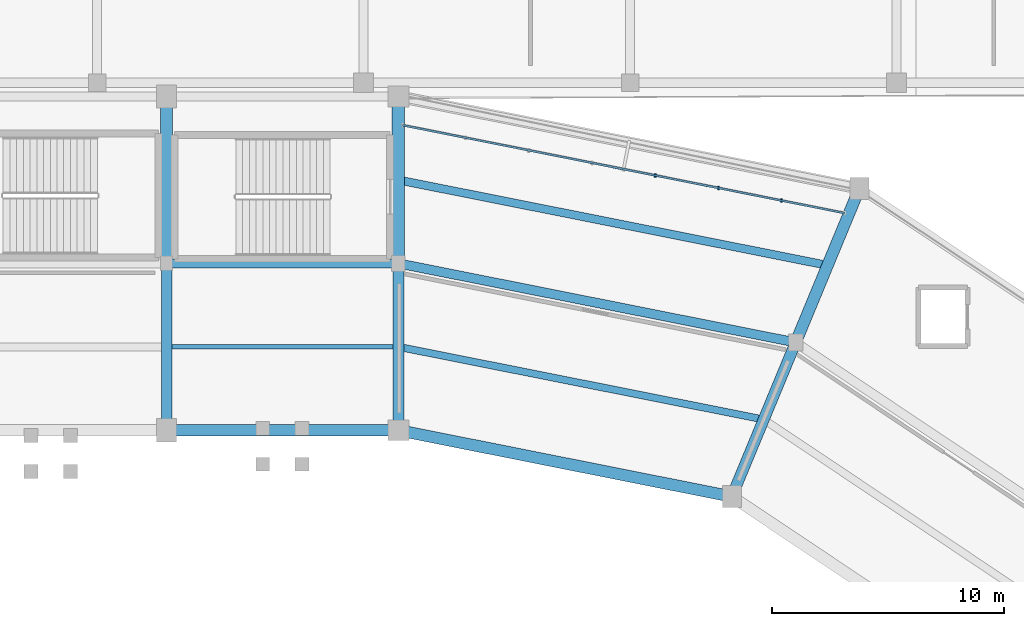
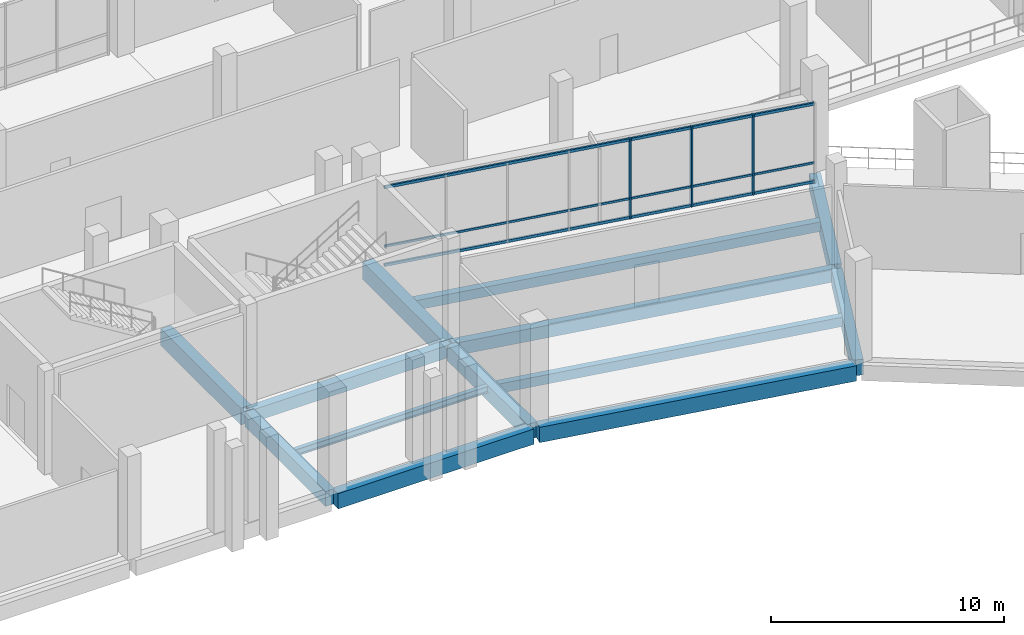
# One storey, part 55 of 114: 13 beams, 6 members, 1 element without a shape of its own.
"""IFC4 building model written with IfcOpenShell, lengths in metres."""

from ifc_helpers import new_model, si_unit, direction, frame, origin, origin_2d, place, context, subcontext, project, spatial, rectangle, i_section, extrude, material, material_profile, profile_set, type_object, element, aggregate, save


model = new_model("IFC4")

# Units and contexts
model_context = context("Model", 3, precision=1e-05, world=origin(), true_north=direction((0.0, 1.0)))
body_context = subcontext(model_context, "Body", "Model", "MODEL_VIEW")
ifc_project = project(units=[si_unit("LENGTHUNIT", "METRE"), si_unit("AREAUNIT", "SQUARE_METRE"), si_unit("VOLUMEUNIT", "CUBIC_METRE"), si_unit("PLANEANGLEUNIT", "RADIAN"), si_unit("MASSUNIT", "GRAM", prefix="KILO")], contexts=[model_context])

# Site, building, storey
site_placement = place(None, origin())
site = spatial("IfcSite", under=ifc_project, at=site_placement, CompositionType="ELEMENT")
building_placement = place(site_placement, origin())
building = spatial("IfcBuilding", under=site, at=building_placement, Name="Candeia Ridge Stadium", CompositionType="ELEMENT")
storey_placement = place(building_placement, frame((0.0, 0.0, 5.39990234375)))
storey = spatial("IfcBuildingStorey", under=building, at=storey_placement, Name="L01", CompositionType="ELEMENT", Elevation=5.39990234375)

# Beam
ifc_material_1 = material(Name="Steel ASTM A572 Grade 50", Category="steel")
ifc_material_profile_1 = material_profile(ifc_material_1, i_section(OverallWidth=0.205078125, OverallDepth=0.35400390625, WebThickness=0.009521484375, FlangeThickness=0.016845703125, FilletRadius=0.014892578125, at=origin_2d()), Name="W360x79", Category="steel")
ifc_profile_set_1 = profile_set([ifc_material_profile_1], Name="Steel ASTM A572 Grade 50")
beam_type_1 = type_object("IfcBeamType", Name="Concourse Secondary Joist W360x79", PredefinedType="JOIST", material=ifc_profile_set_1)
beam_1_placement = place(storey_placement, frame((140.778076171875, 136.199951171875, -0.43701171875), z_axis=(-1.0, 0.0, 0.0), x_axis=(0.0, -1.0, 0.0)))
element("IfcBeam", 1, at=beam_1_placement, inside=storey, type_object=beam_type_1, Name="Concourse secondary joist BM-L01-0076", PredefinedType="JOIST", context=body_context, shape_type="SweptSolid", body=[
    extrude(i_section(OverallWidth=0.205078125, OverallDepth=0.35400390625, WebThickness=0.009521484375, FlangeThickness=0.016845703125, FilletRadius=0.014892578125, at=origin_2d()), origin(), (0.0, 0.0, 1.0), 9.55615234375),
])

# Curtain wall, members
ifc_material_2 = material(Name="Aluminium Anodized Warm Bronze", Category="aluminium")
curtain_wall_type = type_object("IfcCurtainWallType", Name="Concourse Recessed Unitised Curtain Wall", PredefinedType="NOTDEFINED", material=ifc_material_2)
curtain_wall_placement = place(storey_placement, origin())
curtain_wall = element("IfcCurtainWall", 2, at=curtain_wall_placement, inside=storey, type_object=curtain_wall_type, Name="Unitised curtain wall CW-BWL-L01-35", PredefinedType="NOTDEFINED")
ifc_material_profile_2 = material_profile(ifc_material_2, rectangle(XDim=0.074951171875, YDim=0.14990234375, at=origin_2d()), Name="CWM-75x150", Category="aluminium")
ifc_profile_set_2 = profile_set([ifc_material_profile_2], Name="Aluminium Anodized Warm Bronze")
member_type_1 = type_object("IfcMemberType", Name="Curtain Wall Secondary Mullion 75x150", PredefinedType="MULLION", material=ifc_profile_set_2)
member_1_placement = place(storey_placement, frame((157.537109375, 142.510498046875, 0.0), z_axis=(0.0, 0.0, 1.0), x_axis=(1.0, 0.0, 0.0)))
member_1 = element("IfcMember", 3, at=member_1_placement, type_object=member_type_1, Name="Curtain wall mullion CW-BWL-L01-35-M1", PredefinedType="MULLION", context=body_context, shape_type="SweptSolid", body=[
    extrude(rectangle(XDim=0.074951171875, YDim=0.14990234375, at=origin_2d()), origin(), (0.0, 0.0, 1.0), 4.205078125),
])
member_2_placement = place(storey_placement, frame((154.810302734375, 143.052978515625, 0.0), z_axis=(0.0, 0.0, 1.0), x_axis=(1.0, 0.0, 0.0)))
member_2 = element("IfcMember", 4, at=member_2_placement, type_object=member_type_1, Name="Curtain wall mullion CW-BWL-L01-35-M2", PredefinedType="MULLION", context=body_context, shape_type="SweptSolid", body=[
    extrude(rectangle(XDim=0.074951171875, YDim=0.14990234375, at=origin_2d()), origin(), (0.0, 0.0, 1.0), 4.205078125),
])
member_3_placement = place(storey_placement, frame((152.08349609375, 143.595458984375, 0.0), z_axis=(0.0, 0.0, 1.0), x_axis=(1.0, 0.0, 0.0)))
member_3 = element("IfcMember", 5, at=member_3_placement, type_object=member_type_1, Name="Curtain wall mullion CW-BWL-L01-35-M3", PredefinedType="MULLION", context=body_context, shape_type="SweptSolid", body=[
    extrude(rectangle(XDim=0.074951171875, YDim=0.14990234375, at=origin_2d()), origin(), (0.0, 0.0, 1.0), 4.205078125),
])
ifc_material_profile_3 = material_profile(ifc_material_2, rectangle(XDim=0.074951171875, YDim=0.110107421875, at=origin_2d()), Name="CWT-75x110", Category="aluminium")
ifc_profile_set_3 = profile_set([ifc_material_profile_3], Name="Aluminium Anodized Warm Bronze")
member_type_2 = type_object("IfcMemberType", Name="Curtain Wall Secondary Transom 75x110", PredefinedType="USERDEFINED", material=ifc_profile_set_3)
member_4_placement = place(storey_placement, frame((160.263916015625, 141.96826171875, 1.05126953125), z_axis=(-0.980786160623, 0.195085896803, 0.0), x_axis=(-0.195085896803, -0.980786160623, 0.0)))
member_4 = element("IfcMember", 6, at=member_4_placement, type_object=member_type_2, Name="Curtain wall transom CW-BWL-L01-35-T1", ObjectType="TRANSOM", PredefinedType="USERDEFINED", context=body_context, shape_type="SweptSolid", body=[
    extrude(rectangle(XDim=0.074951171875, YDim=0.110107421875, at=origin_2d()), origin(), (0.0, 0.0, 1.0), 19.46142578125),
])
ifc_material_profile_4 = material_profile(ifc_material_2, rectangle(XDim=0.090087890625, YDim=0.139892578125, at=origin_2d()), Name="CWT-90x140", Category="aluminium")
ifc_profile_set_4 = profile_set([ifc_material_profile_4], Name="Aluminium Anodized Warm Bronze")
member_type_3 = type_object("IfcMemberType", Name="Curtain Wall Transom 90x140", PredefinedType="USERDEFINED", material=ifc_profile_set_4)
member_5_placement = place(storey_placement, frame((160.263916015625, 141.96826171875, 0.070068359375), z_axis=(-0.980786160623, 0.195085896803, 0.0), x_axis=(-0.195085896803, -0.980786160623, 0.0)))
member_5 = element("IfcMember", 7, at=member_5_placement, type_object=member_type_3, Name="Curtain wall transom CW-BWL-L01-35-T0", ObjectType="TRANSOM", PredefinedType="USERDEFINED", context=body_context, shape_type="SweptSolid", body=[
    extrude(rectangle(XDim=0.090087890625, YDim=0.139892578125, at=origin_2d()), origin(), (0.0, 0.0, 1.0), 19.46142578125),
])
member_6_placement = place(storey_placement, frame((160.263916015625, 141.96826171875, 4.135009765625), z_axis=(-0.980786160623, 0.195085896803, 0.0), x_axis=(-0.195085896803, -0.980786160623, 0.0)))
member_6 = element("IfcMember", 8, at=member_6_placement, type_object=member_type_3, Name="Curtain wall transom CW-BWL-L01-35-T2", ObjectType="TRANSOM", PredefinedType="USERDEFINED", context=body_context, shape_type="SweptSolid", body=[
    extrude(rectangle(XDim=0.090087890625, YDim=0.139892578125, at=origin_2d()), origin(), (0.0, 0.0, 1.0), 19.46142578125),
])
aggregate(curtain_wall, [member_1, member_2, member_3, member_5, member_4, member_6])

# Beams
ifc_material_3 = material(Name="Concrete C40/50", Category="concrete")
ifc_material_profile_5 = material_profile(ifc_material_3, rectangle(XDim=0.31005859375, YDim=0.489990234375, at=origin_2d()), Name="RC310x490", Category="concrete")
ifc_profile_set_5 = profile_set([ifc_material_profile_5], Name="Concrete C40/50")
beam_type_2 = type_object("IfcBeamType", Name="Floor Joist RC310x490", PredefinedType="JOIST", material=ifc_profile_set_5)
beam_2_placement = place(storey_placement, frame((156.548828125, 133.107177734375, -0.5048828125), z_axis=(-0.980784984607, 0.195091809076, 0.0), x_axis=(-0.195091809076, -0.980784984607, 0.0)))
element("IfcBeam", 9, at=beam_2_placement, inside=storey, type_object=beam_type_2, Name="Concourse secondary joist BM-L01-0239", PredefinedType="JOIST", context=body_context, shape_type="SweptSolid", body=[
    extrude(rectangle(XDim=0.31005859375, YDim=0.489990234375, at=origin_2d()), origin(), (0.0, 0.0, 1.0), 15.63134765625),
])
ifc_material_profile_6 = material_profile(ifc_material_3, rectangle(XDim=0.35009765625, YDim=0.5, at=origin_2d()), Name="RC350x500", Category="concrete")
ifc_profile_set_6 = profile_set([ifc_material_profile_6], Name="Concrete C40/50")
beam_type_3 = type_object("IfcBeamType", Name="Floor Joist RC350x500", PredefinedType="JOIST", material=ifc_profile_set_6)
beam_3_placement = place(storey_placement, frame((159.30419921875, 139.759033203125, -0.510009765625), z_axis=(-0.980784839623, 0.195092537954, 0.0), x_axis=(-0.195092537954, -0.980784839623, 0.0)))
element("IfcBeam", 10, at=beam_3_placement, inside=storey, type_object=beam_type_3, Name="Concourse secondary joist BM-L01-0240", PredefinedType="JOIST", context=body_context, shape_type="SweptSolid", body=[
    extrude(rectangle(XDim=0.35009765625, YDim=0.5, at=origin_2d()), origin(), (0.0, 0.0, 1.0), 18.440673828125),
])
ifc_material_profile_7 = material_profile(ifc_material_3, rectangle(XDim=0.4599609375, YDim=0.780029296875, at=origin_2d()), Name="RC460x780", Category="concrete")
ifc_profile_set_7 = profile_set([ifc_material_profile_7], Name="Concrete C40/50")
beam_type_4 = type_object("IfcBeamType", Name="Frame Girder RC460x780", PredefinedType="BEAM", material=ifc_profile_set_7)
beam_4_placement = place(storey_placement, frame((131.0, 132.760009765625, -0.64990234375), z_axis=(0.0, 1.0, 0.0), x_axis=(-1.0, 0.0, 0.0)))
element("IfcBeam", 11, at=beam_4_placement, inside=storey, type_object=beam_type_4, Name="Bowl radial girder BM-L01-0003", PredefinedType="BEAM", context=body_context, shape_type="SweptSolid", body=[
    extrude(rectangle(XDim=0.4599609375, YDim=0.780029296875, at=origin_2d()), origin(), (0.0, 0.0, 1.0), 6.8798828125),
])
ifc_material_4 = material(Name="Concrete C45/55", Category="concrete")
ifc_material_profile_8 = material_profile(ifc_material_4, rectangle(XDim=0.47998046875, YDim=0.820068359375, at=origin_2d()), Name="RC480x820", Category="concrete")
ifc_profile_set_8 = profile_set([ifc_material_profile_8], Name="Concrete C45/55")
beam_type_5 = type_object("IfcBeamType", Name="Frame Girder RC480x820", PredefinedType="BEAM", material=ifc_profile_set_8)
for number, where, z_axis, x_axis, name in (
    (12, (141.0, 132.760009765625, -0.669921875), (0.0, 1.0, 0.0), (-1.0, 0.0, 0.0), "Bowl radial girder BM-L01-0001"),
    (13, (155.4501953125, 129.8857421875, -0.669921875), (0.382681914982, 0.923880161031, 0.0), (-0.923880161031, 0.382681914982, 0.0), "Bowl radial girder BM-L01-0071"),
):
    element("IfcBeam", number, at=place(storey_placement, frame(where, z_axis=z_axis, x_axis=x_axis)), inside=storey, type_object=beam_type_5, Name=name, PredefinedType="BEAM", context=body_context, shape_type="SweptSolid", body=[
        extrude(rectangle(XDim=0.47998046875, YDim=0.820068359375, at=origin_2d()), origin(), (0.0, 0.0, 1.0), 6.8798828125),
    ])
ifc_material_profile_9 = material_profile(ifc_material_3, rectangle(XDim=0.5, YDim=0.800048828125, at=origin_2d()), Name="RC500x800", Category="concrete")
ifc_profile_set_9 = profile_set([ifc_material_profile_9], Name="Concrete C40/50")
beam_type_6 = type_object("IfcBeamType", Name="Frame Girder RC500x800", PredefinedType="BEAM", material=ifc_profile_set_9)
beam_5_placement = place(storey_placement, frame((140.840087890625, 132.60009765625, -0.659912109375), z_axis=(-1.0, 0.0, 0.0), x_axis=(0.0, -1.0, 0.0)))
element("IfcBeam", 14, at=beam_5_placement, inside=storey, type_object=beam_type_6, Name="Bowl inner ring girder BM-L01-0073", PredefinedType="BEAM", context=body_context, shape_type="SweptSolid", body=[
    extrude(rectangle(XDim=0.5, YDim=0.800048828125, at=origin_2d()), origin(), (0.0, 0.0, 1.0), 9.68017578125),
])
beam_6_placement = place(storey_placement, frame((155.23193359375, 129.76904296875, -0.659912109375), z_axis=(-0.980783642657, 0.195098555341, 0.0), x_axis=(-0.195098555341, -0.980783642657, 0.0)))
element("IfcBeam", 15, at=beam_6_placement, inside=storey, type_object=beam_type_6, Name="Bowl inner ring girder BM-L01-0236", PredefinedType="BEAM", context=body_context, shape_type="SweptSolid", body=[
    extrude(rectangle(XDim=0.5, YDim=0.800048828125, at=origin_2d()), origin(), (0.0, 0.0, 1.0), 14.350830078125),
])
ifc_material_profile_10 = material_profile(ifc_material_4, rectangle(XDim=0.5, YDim=0.85009765625, at=origin_2d()), Name="RC500x850", Category="concrete")
ifc_profile_set_10 = profile_set([ifc_material_profile_10], Name="Concrete C45/55")
beam_type_7 = type_object("IfcBeamType", Name="Frame Girder RC500x850", PredefinedType="BEAM", material=ifc_profile_set_10)
beam_7_placement = place(storey_placement, frame((158.20556640625, 136.53759765625, -0.684814453125), z_axis=(0.382681914982, 0.923880161031, 0.0), x_axis=(-0.923880161031, 0.382681914982, 0.0)))
element("IfcBeam", 16, at=beam_7_placement, inside=storey, type_object=beam_type_7, Name="Bowl radial girder BM-L01-0072", PredefinedType="BEAM", context=body_context, shape_type="SweptSolid", body=[
    extrude(rectangle(XDim=0.5, YDim=0.85009765625, at=origin_2d()), origin(), (0.0, 0.0, 1.0), 6.8798828125),
])
ifc_material_profile_11 = material_profile(ifc_material_4, rectangle(XDim=0.52001953125, YDim=0.8798828125, at=origin_2d()), Name="RC520x880", Category="concrete")
ifc_profile_set_11 = profile_set([ifc_material_profile_11], Name="Concrete C45/55")
beam_type_8 = type_object("IfcBeamType", Name="Frame Girder RC520x880", PredefinedType="BEAM", material=ifc_profile_set_11)
beam_8_placement = place(storey_placement, frame((131.0, 139.9599609375, -0.699951171875), z_axis=(0.0, 1.0, 0.0), x_axis=(-1.0, 0.0, 0.0)))
element("IfcBeam", 17, at=beam_8_placement, inside=storey, type_object=beam_type_8, Name="Bowl radial girder BM-L01-0004", PredefinedType="BEAM", context=body_context, shape_type="SweptSolid", body=[
    extrude(rectangle(XDim=0.52001953125, YDim=0.8798828125, at=origin_2d()), origin(), (0.0, 0.0, 1.0), 6.880126953125),
])
ifc_material_profile_12 = material_profile(ifc_material_4, rectangle(XDim=0.550048828125, YDim=0.919921875, at=origin_2d()), Name="RC550x920", Category="concrete")
ifc_profile_set_12 = profile_set([ifc_material_profile_12], Name="Concrete C45/55")
beam_type_9 = type_object("IfcBeamType", Name="Frame Girder RC550x920", PredefinedType="BEAM", material=ifc_profile_set_12)
beam_9_placement = place(storey_placement, frame((141.0, 139.9599609375, -0.719970703125), z_axis=(0.0, 1.0, 0.0), x_axis=(-1.0, 0.0, 0.0)))
element("IfcBeam", 18, at=beam_9_placement, inside=storey, type_object=beam_type_9, Name="Bowl radial girder BM-L01-0002", PredefinedType="BEAM", context=body_context, shape_type="SweptSolid", body=[
    extrude(rectangle(XDim=0.550048828125, YDim=0.919921875, at=origin_2d()), origin(), (0.0, 0.0, 1.0), 6.880126953125),
])
ifc_material_profile_13 = material_profile(ifc_material_3, rectangle(XDim=0.39990234375, YDim=0.64990234375, at=origin_2d()), Name="RC400x650", Category="concrete")
ifc_profile_set_13 = profile_set([ifc_material_profile_13], Name="Concrete C40/50")
beam_type_10 = type_object("IfcBeamType", Name="Wing Primary Girder RC400x650", PredefinedType="BEAM", material=ifc_profile_set_13)
beam_10_placement = place(storey_placement, frame((140.949951171875, 139.800048828125, -0.5849609375), z_axis=(-1.0, 0.0, 0.0), x_axis=(0.0, -1.0, 0.0)))
element("IfcBeam", 19, at=beam_10_placement, inside=storey, type_object=beam_type_10, Name="Concourse spine girder BM-L01-0074", PredefinedType="BEAM", context=body_context, shape_type="SweptSolid", body=[
    extrude(rectangle(XDim=0.39990234375, YDim=0.64990234375, at=origin_2d()), origin(), (0.0, 0.0, 1.0), 9.89990234375),
])
beam_11_placement = place(storey_placement, frame((158.09521484375, 136.399658203125, -0.5849609375), z_axis=(-0.980785980309, 0.195086803319, 0.0), x_axis=(-0.195086803319, -0.980785980309, 0.0)))
element("IfcBeam", 20, at=beam_11_placement, inside=storey, type_object=beam_type_10, Name="Concourse spine girder BM-L01-0237", PredefinedType="BEAM", context=body_context, shape_type="SweptSolid", body=[
    extrude(rectangle(XDim=0.39990234375, YDim=0.64990234375, at=origin_2d()), origin(), (0.0, 0.0, 1.0), 17.380126953125),
])

save(model, "model.ifc")
